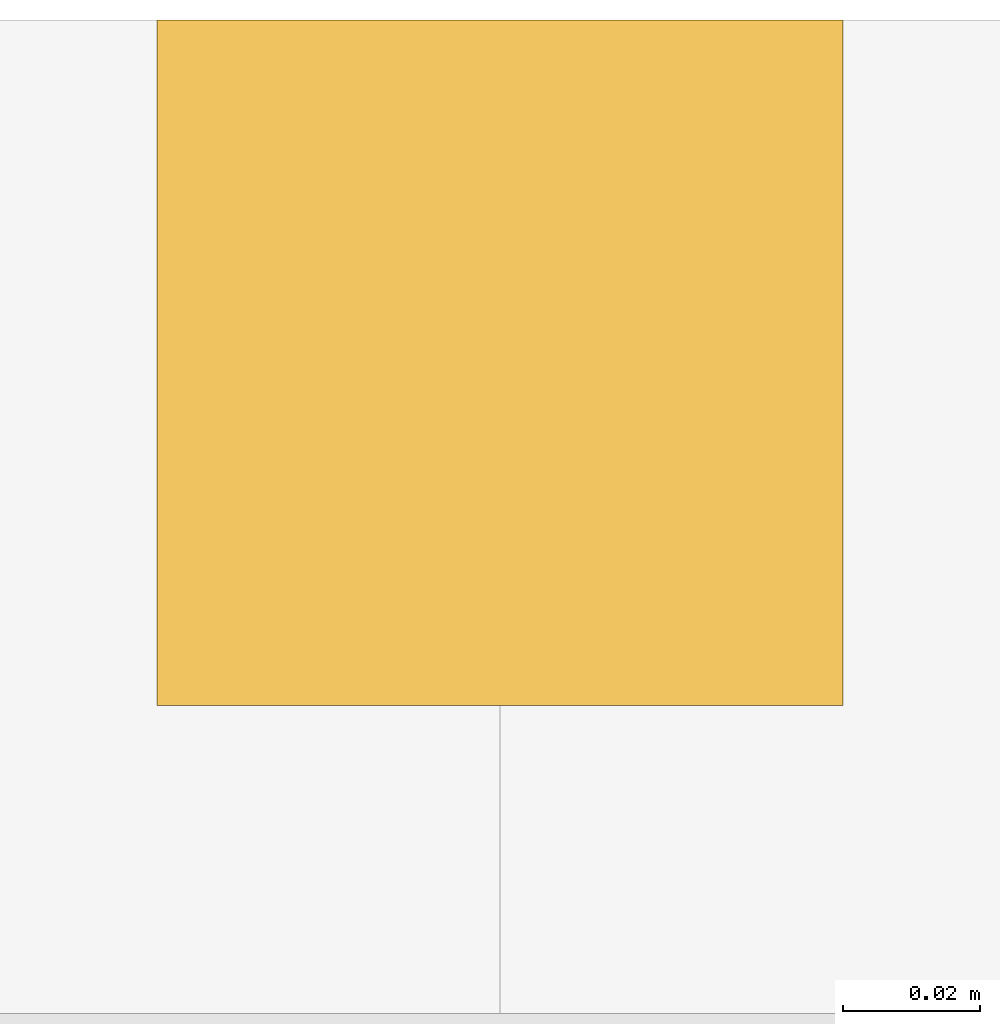
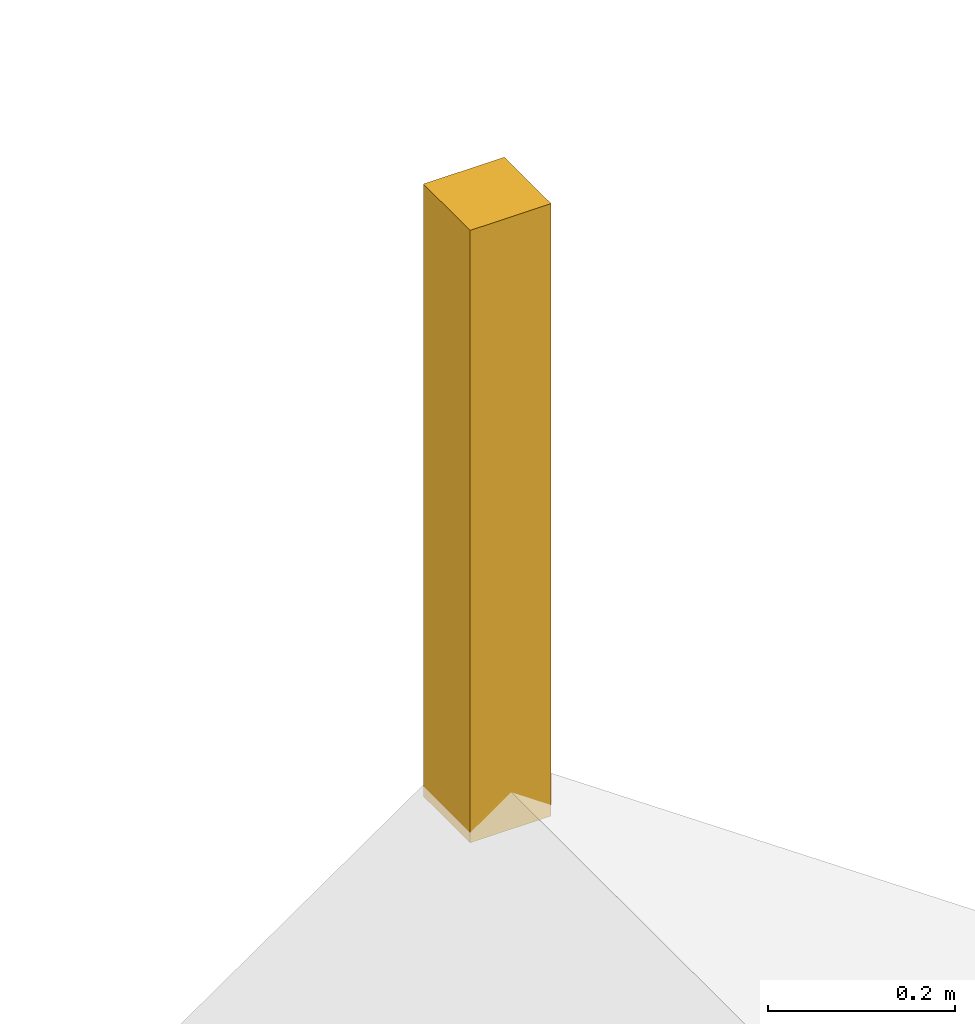
# One storey, part 27 of 28: 1 covering.
"""IFC4 building model written with IfcOpenShell, lengths in metres."""

from ifc_helpers import new_model, si_unit, direction, frame, origin, origin_2d, place, context, subcontext, project, spatial, rectangle, extrude, material, layer, layer_set, type_object, element, save


model = new_model("IFC4")

# Units and contexts
model_context = context("Model", 3, precision=1e-05, world=origin(), true_north=direction((0.0, 1.0)))
body_context = subcontext(model_context, "Body", "Model", "MODEL_VIEW")
ifc_project = project(units=[si_unit("LENGTHUNIT", "METRE"), si_unit("AREAUNIT", "SQUARE_METRE"), si_unit("VOLUMEUNIT", "CUBIC_METRE"), si_unit("PLANEANGLEUNIT", "RADIAN"), si_unit("MASSUNIT", "GRAM", prefix="KILO")], contexts=[model_context])

# Site, building, storey
site_placement = place(None, origin())
site = spatial("IfcSite", under=ifc_project, at=site_placement, CompositionType="ELEMENT")
building_placement = place(site_placement, origin())
building = spatial("IfcBuilding", under=site, at=building_placement, Name="Mazhai Court Health Centre", CompositionType="ELEMENT")
storey_placement = place(building_placement, frame((0.0, 0.0, 18.0)))
storey = spatial("IfcBuildingStorey", under=building, at=storey_placement, Name="RF", CompositionType="ELEMENT", Elevation=18.0)

# Covering
ifc_material = material(Name="Zinc sheet")
ifc_layer = layer(ifc_material, 0.10009765625)
ifc_layer_set = layer_set([ifc_layer], Name="ZINC FINIAL 100")
covering_type = type_object("IfcCoveringType", Name="ZINC FINIAL 100", PredefinedType="MOLDING", material=ifc_layer_set)
covering_placement = place(storey_placement, frame((53.0, 58.39990234375, 4.0791015625), z_axis=(0.0, 0.0, 1.0), x_axis=(1.0, 0.0, 0.0)))
element("IfcCovering", 1, at=covering_placement, inside=storey, type_object=covering_type, Name="Lantern finial V1N", PredefinedType="MOLDING", context=body_context, shape_type="SweptSolid", body=[
    extrude(rectangle(XDim=0.10009765625, YDim=0.10009765625, at=origin_2d()), origin(), (0.0, 0.0, 1.0), 0.800048828125),
])

save(model, "model.ifc")
